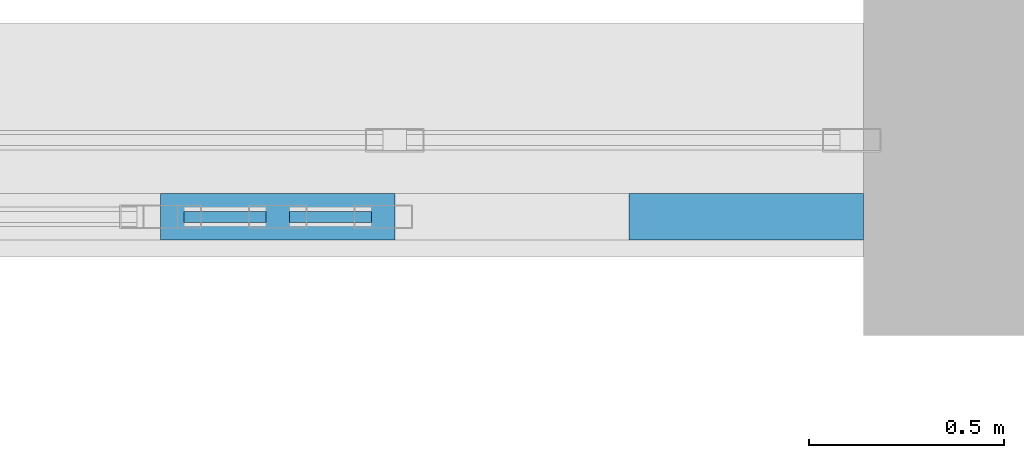
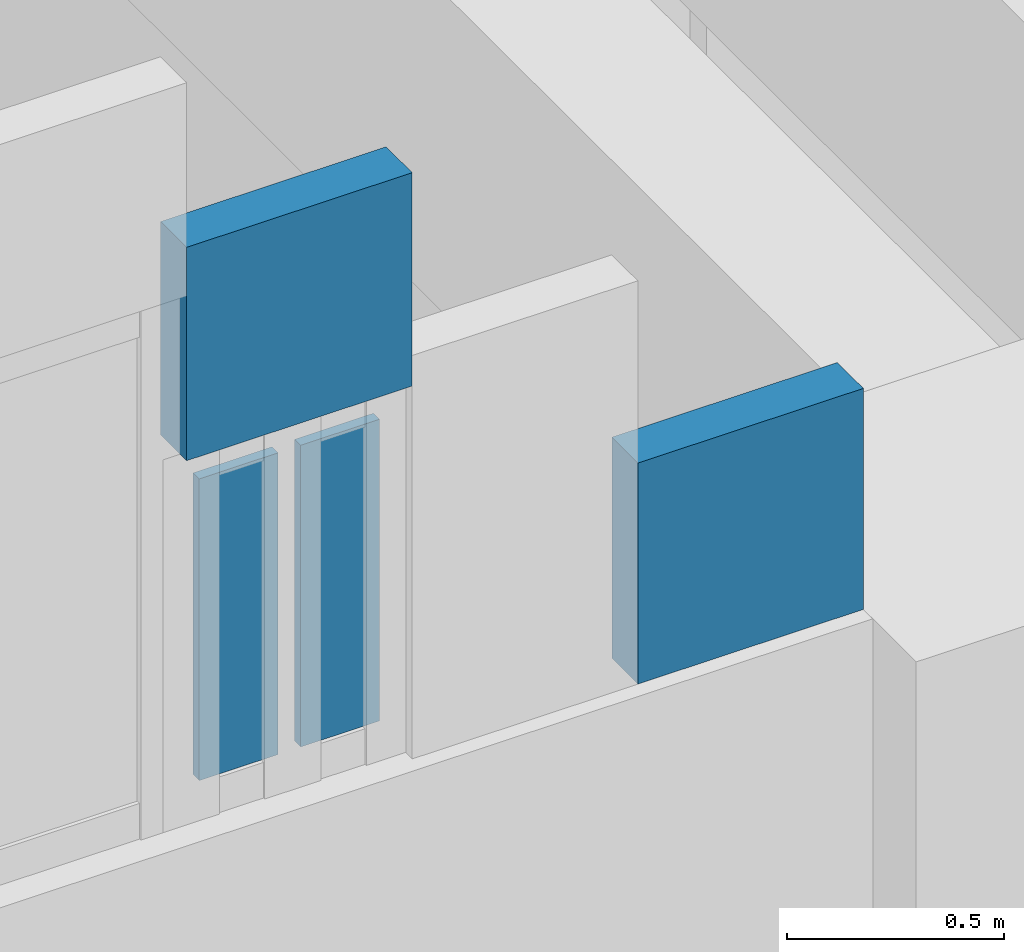
# One storey, part 56 of 103: 4 plates, 1 element without a shape of its own.
"""IFC4 building model written with IfcOpenShell, lengths in metres."""

from ifc_helpers import new_model, si_unit, direction, frame, origin, origin_2d, place, context, subcontext, project, spatial, rectangle, extrude, material, layer, layer_set, type_object, element, aggregate, save


model = new_model("IFC4")

# Units and contexts
model_context = context("Model", 3, precision=1e-05, world=origin(), true_north=direction((0.0, 1.0)))
body_context = subcontext(model_context, "Body", "Model", "MODEL_VIEW")
ifc_project = project(units=[si_unit("LENGTHUNIT", "METRE"), si_unit("AREAUNIT", "SQUARE_METRE"), si_unit("VOLUMEUNIT", "CUBIC_METRE"), si_unit("PLANEANGLEUNIT", "RADIAN"), si_unit("MASSUNIT", "GRAM", prefix="KILO")], contexts=[model_context])

# Site, building, storey
site_placement = place(None, origin())
site = spatial("IfcSite", under=ifc_project, at=site_placement, CompositionType="ELEMENT")
building_placement = place(site_placement, origin())
building = spatial("IfcBuilding", under=site, at=building_placement, Name="Laocheng Heights Fire and Rescue Headquarters", CompositionType="ELEMENT")
storey_placement = place(building_placement, frame((0.0, 0.0, 4.199951171875)))
storey = spatial("IfcBuildingStorey", under=building, at=storey_placement, Name="L01", CompositionType="ELEMENT", Elevation=4.199951171875)

# Plates
ifc_material_1 = material(Name="Aluminium shadow-box panel, insulated and back-painted", Category="aluminium")
ifc_layer_1 = layer(ifc_material_1, 0.1201171875)
ifc_layer_set_1 = layer_set([ifc_layer_1], Name="Aluminium shadow-box panel, insulated and back-painted")
plate_type_1 = type_object("IfcPlateType", Name="GABLE STEP PLATE 120", PredefinedType="SHEET", material=ifc_layer_set_1)
plate_1_placement = place(storey_placement, frame((51.89990234375, -0.196533203125, 5.138916015625), z_axis=(0.0, 0.0, 1.0), x_axis=(1.0, 0.0, 0.0)))
element("IfcPlate", 1, at=plate_1_placement, inside=storey, type_object=plate_type_1, Name="Gable step plate S30", PredefinedType="SHEET", context=body_context, shape_type="SweptSolid", body=[
    extrude(rectangle(XDim=0.60009765625, YDim=0.1201171875, at=origin_2d()), origin(), (0.0, 0.0, 1.0), 0.60009765625),
])
plate_2_placement = place(storey_placement, frame((53.10009765625, -0.196533203125, 4.090576171875), z_axis=(0.0, 0.0, 1.0), x_axis=(1.0, 0.0, 0.0)))
element("IfcPlate", 2, at=plate_2_placement, inside=storey, type_object=plate_type_1, Name="Gable step plate S32", PredefinedType="SHEET", context=body_context, shape_type="SweptSolid", body=[
    extrude(rectangle(XDim=0.60009765625, YDim=0.1201171875, at=origin_2d()), origin(), (0.0, 0.0, 1.0), 0.62158203125),
])

# Curtain wall, plates
ifc_material_2 = material(Name="Aluminium gable glazing, low-e double glazing", Category="aluminium")
curtain_wall_type = type_object("IfcCurtainWallType", Name="GABLE GLAZED UNIT 600 x 1049", PredefinedType="NOTDEFINED", material=ifc_material_2)
curtain_wall_placement = place(storey_placement, origin())
curtain_wall = element("IfcCurtainWall", 3, at=curtain_wall_placement, inside=storey, type_object=curtain_wall_type, Name="Gable glazing S30", PredefinedType="NOTDEFINED")
ifc_material_3 = material(Name="Low-e double glazed unit, laminated inner pane")
ifc_layer_2 = layer(ifc_material_3, 0.028076171875)
ifc_layer_set_2 = layer_set([ifc_layer_2], Name="Low-e double glazed unit, laminated inner pane")
plate_type_2 = type_object("IfcPlateType", Name="GABLE VISION PANEL 28", PredefinedType="CURTAIN_PANEL", material=ifc_layer_set_2)
plate_3_placement = place(storey_placement, frame((51.764892578125, -0.196533203125, 4.1904296875), z_axis=(0.0, 0.0, 1.0), x_axis=(1.0, 0.0, 0.0)))
plate_3 = element("IfcPlate", 4, at=plate_3_placement, type_object=plate_type_2, Name="X2-D panel 1.1", PredefinedType="CURTAIN_PANEL", context=body_context, shape_type="SweptSolid", body=[
    extrude(rectangle(XDim=0.2099609375, YDim=0.028076171875, at=origin_2d()), origin(), (0.0, 0.0, 1.0), 0.848388671875),
])
plate_4_placement = place(storey_placement, frame((52.034912109375, -0.196533203125, 4.1904296875), z_axis=(0.0, 0.0, 1.0), x_axis=(1.0, 0.0, 0.0)))
plate_4 = element("IfcPlate", 5, at=plate_4_placement, type_object=plate_type_2, Name="X2-D panel 2.1", PredefinedType="CURTAIN_PANEL", context=body_context, shape_type="SweptSolid", body=[
    extrude(rectangle(XDim=0.2099609375, YDim=0.028076171875, at=origin_2d()), origin(), (0.0, 0.0, 1.0), 0.848388671875),
])
aggregate(curtain_wall, [plate_3, plate_4])

save(model, "model.ifc")
